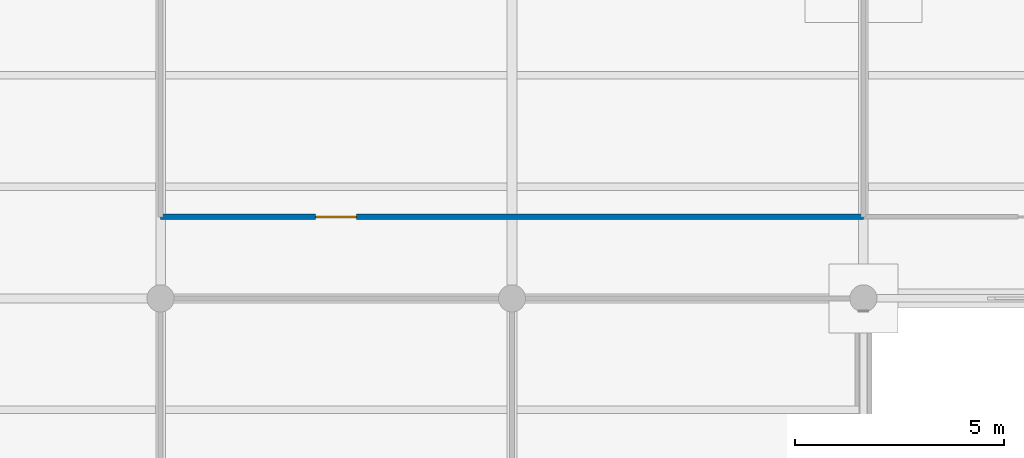
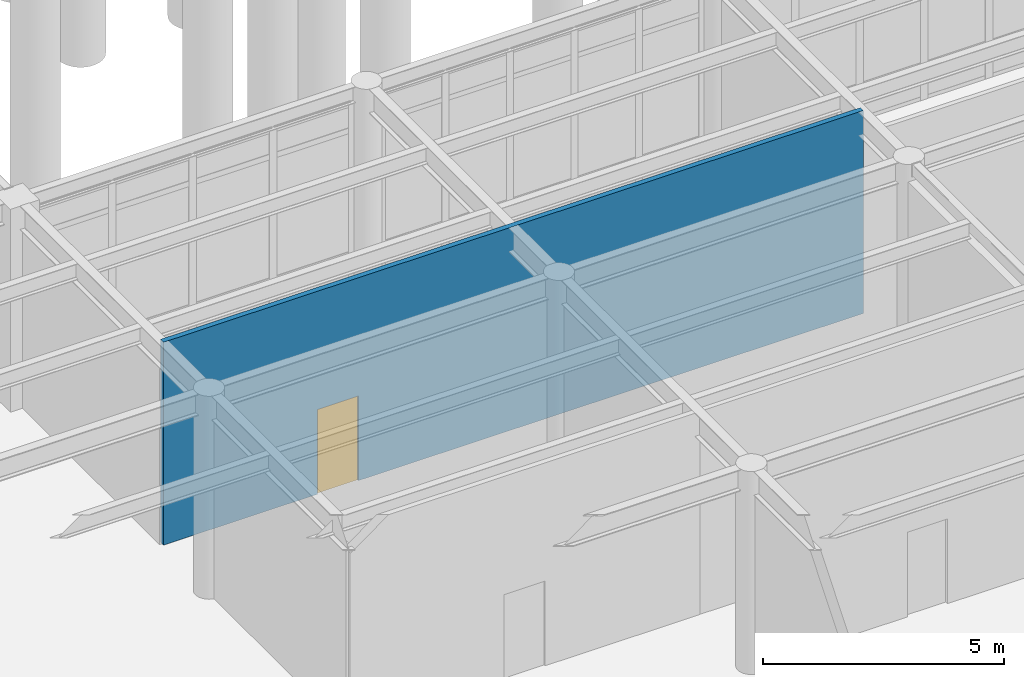
# One storey, part 80 of 138: 1 door, 1 wall, 1 opening.
"""IFC4 building model written with IfcOpenShell, lengths in metres."""

from ifc_helpers import new_model, si_unit, direction, frame, frame_2d, origin, place, context, subcontext, project, spatial, rectangle, extrude, material, layer, layer_set, type_object, element, fill, save


model = new_model("IFC4")

# Units and contexts
model_context = context("Model", 3, precision=1e-05, world=origin(), true_north=direction((0.0, 1.0)))
body_context = subcontext(model_context, "Body", "Model", "MODEL_VIEW")
ifc_project = project(units=[si_unit("LENGTHUNIT", "METRE"), si_unit("AREAUNIT", "SQUARE_METRE"), si_unit("VOLUMEUNIT", "CUBIC_METRE"), si_unit("PLANEANGLEUNIT", "RADIAN"), si_unit("MASSUNIT", "GRAM", prefix="KILO")], contexts=[model_context])

# Site, building, storey
site_placement = place(None, origin())
site = spatial("IfcSite", under=ifc_project, at=site_placement, CompositionType="ELEMENT")
building_placement = place(site_placement, origin())
building = spatial("IfcBuilding", under=site, at=building_placement, Name="Kranzveld Transit Interchange", CompositionType="ELEMENT")
storey_placement = place(building_placement, origin())
storey = spatial("IfcBuildingStorey", under=building, at=storey_placement, Name="L00", CompositionType="ELEMENT", Elevation=0.0)

# Wall, opening, door
ifc_material_1 = material(Name="Clay masonry unit wall, 20 MPa", Category="masonry")
ifc_layer = layer(ifc_material_1, 0.125)
ifc_layer_set = layer_set([ifc_layer], Name="Clay masonry unit wall, 20 MPa")
wall_type = type_object("IfcWallType", Name="Internal Blockwork Partition 125", PredefinedType="PARTITIONING", material=ifc_layer_set)
wall_placement = place(storey_placement, frame((117.60009765625, 57.949951171875, 0.0), z_axis=(0.0, 0.0, 1.0), x_axis=(1.0, 0.0, 0.0)))
wall = element("IfcWall", 1, at=wall_placement, inside=storey, type_object=wall_type, Name="L00 Partition IW-L00-L00V4S-FRT-027-0", PredefinedType="PARTITIONING", context=body_context, shape_type="SweptSolid", body=[
    extrude(rectangle(XDim=16.7998046875, YDim=0.125, at=frame_2d((8.39990234375, 0.0))), origin(), (0.0, 0.0, 1.0), 5.14990234375),
])
opening_placement = place(wall_placement, frame((3.699951171875, 0.0, 0.0), z_axis=(0.0, 0.0, 1.0), x_axis=(1.0, 0.0, 0.0)))
opening = element("IfcOpeningElement", 2, at=opening_placement, cuts=wall, Name="Opening D-027", PredefinedType="OPENING", context=body_context, shape_type="SweptSolid", body=[
    extrude(rectangle(XDim=0.97998046875, YDim=2.14990234375, at=frame_2d((0.489990234375, 1.074951171875))), frame((0.0, 0.072509765625, 0.0), z_axis=(0.0, -1.0, 0.0), x_axis=(1.0, 0.0, 0.0)), (0.0, 0.0, 1.0), 0.14501953125),
])
ifc_material_2 = material(Name="Bronze-anodised thermally broken aluminium", Category="aluminium")
door_type = type_object("IfcDoorType", Name="Retail Back-of-House Door 980x2150", OperationType="NOTDEFINED", PredefinedType="DOOR", material=ifc_material_2)
door_placement = place(opening_placement, origin())
door = element("IfcDoor", 3, at=door_placement, inside=storey, type_object=door_type, Name="L00 Interior Door D-027", OperationType="SINGLE_SWING_LEFT", OverallHeight=2.14990234375, OverallWidth=0.97998046875, PredefinedType="DOOR", context=body_context, shape_type="SweptSolid", body=[
    extrude(rectangle(XDim=0.97998046875, YDim=2.14990234375, at=frame_2d((0.489990234375, 1.074951171875))), frame((0.0, 0.02490234375, 0.0), z_axis=(0.0, -1.0, 0.0), x_axis=(1.0, 0.0, 0.0)), (0.0, 0.0, 1.0), 0.050048828125),
])
fill(opening, door)

save(model, "model.ifc")
